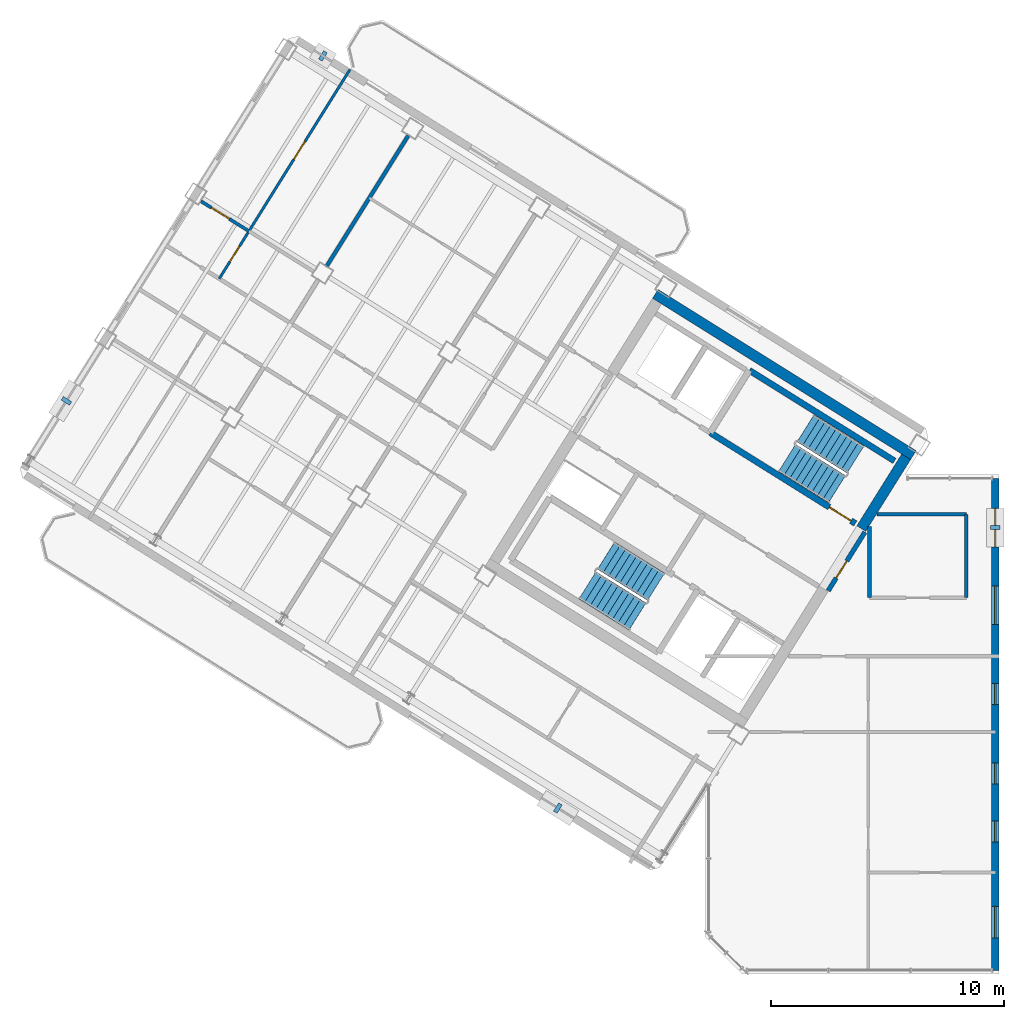
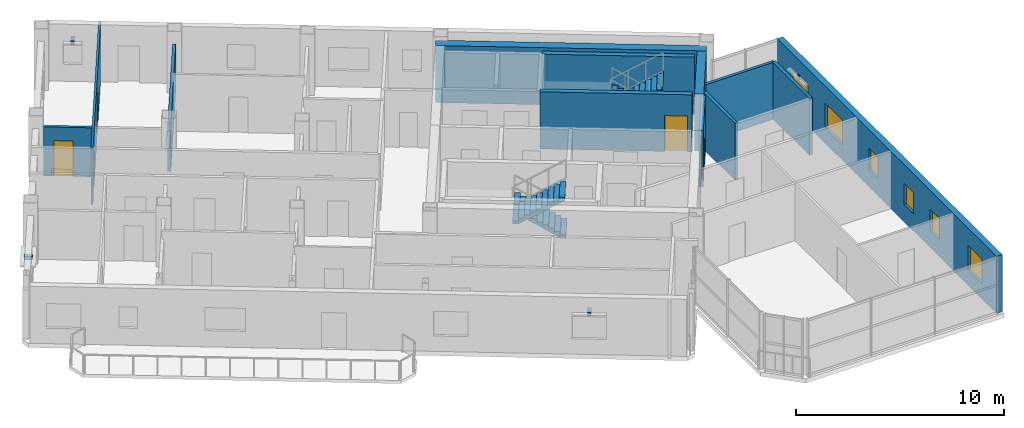
# One storey, part 11 of 15: 12 walls, 6 windows, 5 doors, 4 discrete accessories, 4 stair flights, 11 openings, 2 elements without a shape of their own.
"""IFC4 building model written with IfcOpenShell, lengths in metres."""

import ifcopenshell
import ifcopenshell.guid

model = None  # the IFC model being written
_history = None  # IfcOwnerHistory: only IFC2X3 demands one
_inside = {}  # id of a spatial element -> (the spatial element, [elements in it])
_under = {}  # id of a project, library or spatial element -> (it, [spatial elements below it])
_declared = {}  # id of a project -> (the project, [libraries it declares])
_typed = {}  # id of a type object -> (the type object, [elements of that type])
_made_of = {}  # id of a material, layer set ... -> (it, [elements and type objects made of it])


def new_model(schema):
    """Start an empty IFC model of exactly this schema.

    Asked for "IFC4X3", IfcOpenShell would pick the latest addendum, in which some entities
    have other attributes; the version numbers below select the first issue.
    IFC2X3 requires an IfcOwnerHistory on every rooted entity: one is made here for all.
    """
    global model, _history
    if schema == "IFC4X3":
        model = ifcopenshell.file(schema_version=(4, 3, 0, 0))
    else:
        model = ifcopenshell.file(schema=schema)
    _inside.clear()
    _under.clear()
    _declared.clear()
    _typed.clear()
    _made_of.clear()
    _history = None
    if model.schema == "IFC2X3":
        org = make("IfcOrganization", Name="unknown")
        user = make(
            "IfcPersonAndOrganization",
            ThePerson=make("IfcPerson", FamilyName="unknown"),
            TheOrganization=org,
        )
        app = make(
            "IfcApplication",
            ApplicationDeveloper=org,
            Version="unknown",
            ApplicationFullName="unknown",
            ApplicationIdentifier="unknown",
        )
        _history = make(
            "IfcOwnerHistory",
            OwningUser=user,
            OwningApplication=app,
            ChangeAction="ADDED",
            CreationDate=0,
        )
    return model


def make(cls, **values):
    """One entity of the class cls with the attributes given. An attribute that is None is left unset."""
    return model.create_entity(
        cls, **{name: value for name, value in values.items() if value is not None}
    )


def rooted(cls, **values):
    """An entity with a GlobalId (a new one), such as an element, a storey or a relation."""
    return make(cls, GlobalId=ifcopenshell.guid.new(), OwnerHistory=_history, **values)


def si_unit(unit_type, name, prefix=None):
    """IfcSIUnit, for example si_unit("LENGTHUNIT", "METRE", prefix="MILLI")."""
    return make("IfcSIUnit", UnitType=unit_type, Prefix=prefix, Name=name)


def assignment(units):
    """IfcUnitAssignment: the units of a project."""
    return None if units is None else make("IfcUnitAssignment", Units=units)


def point(xyz):
    """IfcCartesianPoint."""
    return None if xyz is None else make("IfcCartesianPoint", Coordinates=xyz)


def direction(xyz):
    """IfcDirection."""
    return None if xyz is None else make("IfcDirection", DirectionRatios=xyz)


def frame(location, z_axis=None, x_axis=None):
    """IfcAxis2Placement3D, a coordinate frame: its origin and axes. An axis left out is left unset."""
    return make(
        "IfcAxis2Placement3D",
        Location=point(location),
        Axis=direction(z_axis),
        RefDirection=direction(x_axis),
    )


def frame_2d(location, x_axis=None):
    """IfcAxis2Placement2D, a coordinate frame in the plane: its origin and x axis."""
    return make(
        "IfcAxis2Placement2D", Location=point(location), RefDirection=direction(x_axis)
    )


def origin():
    """The frame at (0, 0, 0) with its axes left unset."""
    return frame((0.0, 0.0, 0.0))


def origin_2d():
    """The frame at (0, 0) in the plane with its x axis left unset."""
    return frame_2d((0.0, 0.0))


def place(relative_to, where):
    """IfcLocalPlacement: puts the frame where relative to a parent placement (None: the world)."""
    return make(
        "IfcLocalPlacement", PlacementRelTo=relative_to, RelativePlacement=where
    )


def context(
    kind, dimensions, precision=None, world=None, true_north=None, identifier=None
):
    """IfcGeometricRepresentationContext, for example the 3D "Model" context."""
    return make(
        "IfcGeometricRepresentationContext",
        ContextIdentifier=identifier,
        ContextType=kind,
        CoordinateSpaceDimension=dimensions,
        Precision=precision,
        WorldCoordinateSystem=world,
        TrueNorth=true_north,
    )


def subcontext(parent, identifier, kind, view, scale=None):
    """IfcGeometricRepresentationSubContext, for example "Body" below "Model"."""
    return make(
        "IfcGeometricRepresentationSubContext",
        ContextIdentifier=identifier,
        ContextType=kind,
        ParentContext=parent,
        TargetScale=scale,
        TargetView=view,
    )


def project(units=None, contexts=None):
    """IfcProject with its units and contexts."""
    return rooted(
        "IfcProject",
        Name="project",
        RepresentationContexts=contexts,
        UnitsInContext=assignment(units),
    )


def spatial(cls, under=None, at=None, **own):
    """A site, building, storey or space (cls), placed at a placement, below another one or the project."""
    s = rooted(cls, ObjectPlacement=at, **own)
    if under is not None:
        _under.setdefault(under.id(), (under, []))[1].append(s)
    return s


def polyline(points):
    """IfcPolyline through the points."""
    return make("IfcPolyline", Points=[point(p) for p in points])


def profile(cls, at=None, kind="AREA", **sizes):
    """A parametric profile (cls). Its sizes go by their IFC names, for example OverallWidth=200.0."""
    return make(cls, ProfileType=kind, Position=at, **sizes)


def rectangle(**sizes):
    """IfcRectangleProfileDef."""
    return profile("IfcRectangleProfileDef", **sizes)


def outline(outer, holes=None, kind="AREA"):
    """IfcArbitraryClosedProfileDef: a profile drawn as a closed curve; with holes, ...WithVoids."""
    if holes is None:
        return make("IfcArbitraryClosedProfileDef", ProfileType=kind, OuterCurve=outer)
    return make(
        "IfcArbitraryProfileDefWithVoids",
        ProfileType=kind,
        OuterCurve=outer,
        InnerCurves=holes,
    )


def extrude(swept, where, along, depth):
    """IfcExtrudedAreaSolid: the profile swept, set in the frame where, extruded along a direction by depth."""
    return make(
        "IfcExtrudedAreaSolid",
        SweptArea=swept,
        Position=where,
        ExtrudedDirection=direction(along),
        Depth=depth,
    )


def shape(context_of_items, identifier, shape_type, items):
    """IfcShapeRepresentation: the items that make up one representation, for example the "Body"."""
    return make(
        "IfcShapeRepresentation",
        ContextOfItems=context_of_items,
        RepresentationIdentifier=identifier,
        RepresentationType=shape_type,
        Items=items,
    )


def source(mapping_origin, context_of_items, identifier, shape_type, items):
    """IfcRepresentationMap: a shape defined once, which mapped items show again and again."""
    return make(
        "IfcRepresentationMap",
        MappingOrigin=mapping_origin,
        MappedRepresentation=shape(context_of_items, identifier, shape_type, items),
    )


def transform(
    local_origin,
    x_axis=None,
    y_axis=None,
    z_axis=None,
    scale=None,
    scale2=None,
    scale3=None,
    uniform=True,
):
    """IfcCartesianTransformationOperator3D, or its non-uniform kind. x_axis, y_axis, z_axis: its Axis1, 2, 3."""
    if uniform:
        return make(
            "IfcCartesianTransformationOperator3D",
            Axis1=direction(x_axis),
            Axis2=direction(y_axis),
            LocalOrigin=point(local_origin),
            Scale=scale,
            Axis3=direction(z_axis),
        )
    return make(
        "IfcCartesianTransformationOperator3DnonUniform",
        Axis1=direction(x_axis),
        Axis2=direction(y_axis),
        LocalOrigin=point(local_origin),
        Scale=scale,
        Axis3=direction(z_axis),
        Scale2=scale2,
        Scale3=scale3,
    )


def mapped(mapping_source, mapping_target):
    """IfcMappedItem: shows the shape of a source again, moved by a transform."""
    return make(
        "IfcMappedItem", MappingSource=mapping_source, MappingTarget=mapping_target
    )


def material(Name=None, Category=None):
    """IfcMaterial."""
    return make("IfcMaterial", Name=Name, Category=Category)


def layer(
    of_material, thickness, ventilated=None, Name=None, Category=None, Priority=None
):
    """IfcMaterialLayer: one layer of a wall or slab, of a material (None: an air gap)."""
    return make(
        "IfcMaterialLayer",
        Material=of_material,
        LayerThickness=thickness,
        IsVentilated=ventilated,
        Name=Name,
        Category=Category,
        Priority=Priority,
    )


def layer_set(layers, Name=None):
    """IfcMaterialLayerSet."""
    return make("IfcMaterialLayerSet", MaterialLayers=layers, LayerSetName=Name)


def made_of(thing, what):
    """Note that an element or type object is made of a material, layer set ...; save() writes the relation."""
    if what is not None:
        _made_of.setdefault(what.id(), (what, []))[1].append(thing)
    return thing


def type_object(cls, material=None, **own):
    """A type object (cls), such as IfcWallType, which elements share."""
    return made_of(rooted(cls, **own), material)


def element(
    cls,
    number,
    at=None,
    inside=None,
    cuts=None,
    type_object=None,
    material=None,
    context=None,
    identifier="Body",
    shape_type=None,
    held_by="IfcProductDefinitionShape",
    body=None,
    shapes=None,
    **own,
):
    """One element of the class cls, such as IfcWall. Its Tag is "e" and its number.

    at: its placement. inside: the storey or other place that contains it. cuts: it is an
    opening in that element (IfcRelVoidsElement). A single representation is given by context,
    identifier, shape_type and body (its items); several are given by shapes. held_by: the class
    of the entity that holds the representations. save() writes the other relations.
    """
    e = rooted(cls, Tag="e%d" % number, ObjectPlacement=at, **own)
    if body is not None:
        shapes = [shape(context, identifier, shape_type, body)]
    if shapes is not None:
        e.Representation = make(held_by, Representations=shapes)
    if inside is not None:
        _inside.setdefault(inside.id(), (inside, []))[1].append(e)
    if cuts is not None:
        rooted(
            "IfcRelVoidsElement", RelatingBuildingElement=cuts, RelatedOpeningElement=e
        )
    if type_object is not None:
        _typed.setdefault(type_object.id(), (type_object, []))[1].append(e)
    return made_of(e, material)


def fill(opening, filler):
    """IfcRelFillsElement: the door or window that sits in an opening."""
    return rooted(
        "IfcRelFillsElement",
        RelatingOpeningElement=opening,
        RelatedBuildingElement=filler,
    )


def aggregate(whole, parts):
    """IfcRelAggregates: a whole, such as a stair, and the parts it consists of."""
    return rooted("IfcRelAggregates", RelatingObject=whole, RelatedObjects=parts)


def save(model, path):
    """Write the relations noted so far, then the file.

    IfcRelAggregates (storeys below a building ...), IfcRelContainedInSpatialStructure (elements
    in a storey), IfcRelDefinesByType, IfcRelAssociatesMaterial and IfcRelDeclares: one each for
    every whole, place, type object, material and project.
    """
    for whole, parts in _under.values():
        aggregate(whole, parts)
    for where, things in _inside.values():
        rooted(
            "IfcRelContainedInSpatialStructure",
            RelatedElements=things,
            RelatingStructure=where,
        )
    for kind, things in _typed.values():
        rooted("IfcRelDefinesByType", RelatedObjects=things, RelatingType=kind)
    for what, things in _made_of.values():
        rooted("IfcRelAssociatesMaterial", RelatedObjects=things, RelatingMaterial=what)
    for by, libraries in _declared.values():
        rooted("IfcRelDeclares", RelatingContext=by, RelatedDefinitions=libraries)
    model.write(path)


model = new_model("IFC4")

# Units and contexts
model_context = context("Model", 3, precision=1e-05, world=origin(), true_north=direction((0.0, 1.0)))
body_context = subcontext(model_context, "Body", "Model", "MODEL_VIEW")
ifc_project = project(units=[si_unit("LENGTHUNIT", "METRE"), si_unit("AREAUNIT", "SQUARE_METRE"), si_unit("VOLUMEUNIT", "CUBIC_METRE"), si_unit("PLANEANGLEUNIT", "RADIAN"), si_unit("MASSUNIT", "GRAM", prefix="KILO")], contexts=[model_context])

# Site, building, storey
site_placement = place(None, origin())
site = spatial("IfcSite", under=ifc_project, at=site_placement, CompositionType="ELEMENT")
building_placement = place(site_placement, origin())
building = spatial("IfcBuilding", under=site, at=building_placement, Name="Tlacorven Tower", CompositionType="ELEMENT")
storey_placement = place(building_placement, frame((0.0, 0.0, 266.39990234375)))
storey = spatial("IfcBuildingStorey", under=building, at=storey_placement, Name="L67", CompositionType="ELEMENT", Elevation=266.39990234375)

# Walls
ifc_material_1 = material(Name="Concrete C50/60", Category="concrete")
ifc_layer_1 = layer(ifc_material_1, 0.449951171875)
ifc_layer_set_1 = layer_set([ifc_layer_1], Name="Concrete C50/60")
wall_type_1 = type_object("IfcWallType", Name="WL-COR-450", PredefinedType="SHEAR", material=ifc_layer_set_1)
wall_1_placement = place(storey_placement, frame((40.53076171875, 24.036376953125, 0.0), z_axis=(0.0, 0.0, 1.0), x_axis=(-0.848048787466, 0.529918157905, 0.0)))
element("IfcWall", 1, at=wall_1_placement, inside=storey, type_object=wall_type_1, Name="L67 W core shear wall S1", PredefinedType="SHEAR", context=body_context, shape_type="SweptSolid", body=[
    extrude(rectangle(XDim=13.0400390625, YDim=0.449951171875, at=frame_2d((6.52001953125, 0.0))), origin(), (0.0, 0.0, 1.0), 3.35009765625),
])
wall_2_placement = place(storey_placement, frame((40.220703125, 23.96484375, 0.0), z_axis=(0.0, 0.0, 1.0), x_axis=(-0.529902075036, -0.848058836916, 0.0)))
element("IfcWall", 2, at=wall_2_placement, inside=storey, type_object=wall_type_1, Name="L67 W core end wall E1.1", PredefinedType="SHEAR", context=body_context, shape_type="SweptSolid", body=[
    extrude(rectangle(XDim=3.625, YDim=0.449951171875, at=frame_2d((1.8125, 0.0))), origin(), (0.0, 0.0, 1.0), 3.35009765625),
])
ifc_material_2 = material(Name="Gypsum plasterboard acoustic partition", Category="gypsum")
ifc_layer_2 = layer(ifc_material_2, 0.159912109375)
ifc_layer_set_2 = layer_set([ifc_layer_2], Name="Gypsum plasterboard acoustic partition")
wall_type_2 = type_object("IfcWallType", Name="WL-DEM-160", PredefinedType="PARTITIONING", material=ifc_layer_set_2)
wall_3_placement = place(storey_placement, frame((18.881103515625, 37.727294921875, 0.0), z_axis=(0.0, 0.0, 1.0), x_axis=(-0.529938869374, -0.84803584519, 0.0)))
element("IfcWall", 3, at=wall_3_placement, inside=storey, type_object=wall_type_2, Name="L67 WS Demising Wall 2", PredefinedType="PARTITIONING", context=body_context, shape_type="SweptSolid", body=[
    extrude(rectangle(XDim=6.575927734375, YDim=0.159912109375, at=frame_2d((3.2880859375, 0.0))), origin(), (0.0, 0.0, 1.0), 2.875),
])
wall_4_placement = place(storey_placement, frame((38.64990234375, 17.929931640625, 0.0), z_axis=(0.0, 0.0, 1.0), x_axis=(0.0, 1.0, 0.0)))
element("IfcWall", 4, at=wall_4_placement, inside=storey, type_object=wall_type_2, Name="L67 partition 51", PredefinedType="PARTITIONING", context=body_context, shape_type="SweptSolid", body=[
    extrude(rectangle(XDim=3.045654296875, YDim=0.159912109375, at=frame_2d((1.52294921875, 0.0))), origin(), (0.0, 0.0, 1.0), 3.340087890625),
])
wall_5_placement = place(storey_placement, frame((42.800048828125, 17.929931640625, 0.0), z_axis=(0.0, 0.0, 1.0), x_axis=(0.0, 1.0, 0.0)))
element("IfcWall", 5, at=wall_5_placement, inside=storey, type_object=wall_type_2, Name="L67 partition 52", PredefinedType="PARTITIONING", context=body_context, shape_type="SweptSolid", body=[
    extrude(rectangle(XDim=3.570068359375, YDim=0.159912109375, at=frame_2d((1.78515625, 0.0))), origin(), (0.0, 0.0, 1.0), 3.340087890625),
])
wall_6_placement = place(storey_placement, frame((38.9775390625, 21.5, 0.0), z_axis=(0.0, 0.0, 1.0), x_axis=(1.0, 0.0, 0.0)))
element("IfcWall", 6, at=wall_6_placement, inside=storey, type_object=wall_type_2, Name="L67 partition 53", PredefinedType="PARTITIONING", context=body_context, shape_type="SweptSolid", body=[
    extrude(rectangle(XDim=3.822509765625, YDim=0.159912109375, at=frame_2d((1.9111328125, 0.0))), origin(), (0.0, 0.0, 1.0), 3.340087890625),
])

# Wall, openings, windows
ifc_material_3 = material(Name="Precast concrete C45/55", Category="concrete")
ifc_layer_3 = layer(ifc_material_3, 0.320068359375)
ifc_layer_set_3 = layer_set([ifc_layer_3], Name="Precast concrete C45/55")
wall_type_3 = type_object("IfcWallType", Name="WL-EXT-320", PredefinedType="STANDARD", material=ifc_layer_set_3)
wall_7_placement = place(storey_placement, frame((44.0400390625, 23.0400390625, 0.0), z_axis=(0.0, 0.0, 1.0), x_axis=(0.0, -1.0, 0.0)))
wall_7 = element("IfcWall", 7, at=wall_7_placement, inside=storey, type_object=wall_type_3, Name="L67 Masonry-Frame Recessed Facade Wall 1", PredefinedType="STANDARD", context=body_context, shape_type="SweptSolid", body=[
    extrude(rectangle(XDim=21.080078125, YDim=0.320068359375, at=frame_2d((10.5400390625, 0.0))), origin(), (0.0, 0.0, 1.0), 3.35009765625),
])
opening_1_placement = place(wall_7_placement, frame((1.284912109375, 0.0, 0.89990234375)))
opening_1 = element("IfcOpeningElement", 8, at=opening_1_placement, cuts=wall_7, Name="Opening WN07", PredefinedType="OPENING", context=body_context, shape_type="SweptSolid", body=[
    extrude(rectangle(XDim=1.64990234375, YDim=1.449951171875, at=frame_2d((0.824951171875, 0.72509765625))), frame((0.0, 0.169921875, 0.0), z_axis=(0.0, -1.0, 0.0), x_axis=(1.0, 0.0, 0.0)), (0.0, 0.0, 1.0), 0.340087890625),
])
opening_2_placement = place(wall_7_placement, frame((4.60498046875, 0.0, 0.89990234375)))
opening_2 = element("IfcOpeningElement", 9, at=opening_2_placement, cuts=wall_7, Name="Opening WN07", PredefinedType="OPENING", context=body_context, shape_type="SweptSolid", body=[
    extrude(rectangle(XDim=1.64990234375, YDim=1.449951171875, at=frame_2d((0.824951171875, 0.72509765625))), frame((0.0, 0.169921875, 0.0), z_axis=(0.0, -1.0, 0.0), x_axis=(1.0, 0.0, 0.0)), (0.0, 0.0, 1.0), 0.340087890625),
])
opening_3_placement = place(wall_7_placement, frame((8.800048828125, 0.0, 1.0)))
opening_3 = element("IfcOpeningElement", 10, at=opening_3_placement, cuts=wall_7, Name="Opening WN05", PredefinedType="OPENING", context=body_context, shape_type="SweptSolid", body=[
    extrude(rectangle(XDim=0.89990234375, YDim=1.25, at=frame_2d((0.449951171875, 0.625))), frame((0.0, 0.169921875, 0.0), z_axis=(0.0, -1.0, 0.0), x_axis=(1.0, 0.0, 0.0)), (0.0, 0.0, 1.0), 0.340087890625),
])
opening_4_placement = place(wall_7_placement, frame((12.188720703125, 0.0, 1.0)))
opening_4 = element("IfcOpeningElement", 11, at=opening_4_placement, cuts=wall_7, Name="Opening WN05", PredefinedType="OPENING", context=body_context, shape_type="SweptSolid", body=[
    extrude(rectangle(XDim=0.89990234375, YDim=1.25, at=frame_2d((0.449951171875, 0.625))), frame((0.0, 0.169921875, 0.0), z_axis=(0.0, -1.0, 0.0), x_axis=(1.0, 0.0, 0.0)), (0.0, 0.0, 1.0), 0.340087890625),
])
opening_5_placement = place(wall_7_placement, frame((14.686279296875, 0.0, 1.0)))
opening_5 = element("IfcOpeningElement", 12, at=opening_5_placement, cuts=wall_7, Name="Opening WN05", PredefinedType="OPENING", context=body_context, shape_type="SweptSolid", body=[
    extrude(rectangle(XDim=0.89990234375, YDim=1.25, at=frame_2d((0.449951171875, 0.625))), frame((0.0, 0.169921875, 0.0), z_axis=(0.0, -1.0, 0.0), x_axis=(1.0, 0.0, 0.0)), (0.0, 0.0, 1.0), 0.340087890625),
])
opening_6_placement = place(wall_7_placement, frame((18.33740234375, 0.0, 0.89990234375)))
opening_6 = element("IfcOpeningElement", 13, at=opening_6_placement, cuts=wall_7, Name="Opening WN08", PredefinedType="OPENING", context=body_context, shape_type="SweptSolid", body=[
    extrude(rectangle(XDim=1.35009765625, YDim=1.449951171875, at=frame_2d((0.675048828125, 0.72509765625))), frame((0.0, 0.169921875, 0.0), z_axis=(0.0, -1.0, 0.0), x_axis=(1.0, 0.0, 0.0)), (0.0, 0.0, 1.0), 0.340087890625),
])
ifc_material_4 = material(Name="Dark solar low-E double glazing in anodised aluminium frame", Category="aluminium")
window_type_1 = type_object("IfcWindowType", Name="WN-APT-0900X1350", PartitioningType="SINGLE_PANEL", PredefinedType="WINDOW", material=ifc_material_4)
shared_shape_1 = source(origin(), body_context, "Body", "SweptSolid", [
    extrude(rectangle(XDim=0.89990234375, YDim=1.25, at=frame_2d((0.449951171875, 0.625))), frame((0.0, 0.030029296875, 0.0), z_axis=(0.0, -1.0, 0.0), x_axis=(1.0, 0.0, 0.0)), (0.0, 0.0, 1.0), 0.06005859375),
])
window_1_placement = place(opening_3_placement, origin())
window_1 = element("IfcWindow", 14, at=window_1_placement, inside=storey, type_object=window_type_1, Name="L67 Recessed Masonry-Frame Window L67-01.3", OverallHeight=1.25, OverallWidth=0.89990234375, PartitioningType="SINGLE_PANEL", PredefinedType="WINDOW", context=body_context, shape_type="MappedRepresentation", body=[
    mapped(shared_shape_1, transform((0.0, 0.0, 0.0), scale=1.0)),
])
fill(opening_3, window_1)
window_2_placement = place(opening_4_placement, origin())
window_2 = element("IfcWindow", 15, at=window_2_placement, inside=storey, type_object=window_type_1, Name="L67 Recessed Masonry-Frame Window L67-01.4", OverallHeight=1.25, OverallWidth=0.89990234375, PartitioningType="SINGLE_PANEL", PredefinedType="WINDOW", context=body_context, shape_type="MappedRepresentation", body=[
    mapped(shared_shape_1, transform((0.0, 0.0, 0.0), scale=1.0)),
])
fill(opening_4, window_2)
window_3_placement = place(opening_5_placement, origin())
window_3 = element("IfcWindow", 16, at=window_3_placement, inside=storey, type_object=window_type_1, Name="L67 Recessed Masonry-Frame Window L67-01.5", OverallHeight=1.25, OverallWidth=0.89990234375, PartitioningType="SINGLE_PANEL", PredefinedType="WINDOW", context=body_context, shape_type="MappedRepresentation", body=[
    mapped(shared_shape_1, transform((0.0, 0.0, 0.0), scale=1.0)),
])
fill(opening_5, window_3)
window_type_2 = type_object("IfcWindowType", Name="WN-APT-1650X1600", PartitioningType="SINGLE_PANEL", PredefinedType="WINDOW", material=ifc_material_4)
shared_shape_2 = source(origin(), body_context, "Body", "SweptSolid", [
    extrude(rectangle(XDim=1.64990234375, YDim=1.449951171875, at=frame_2d((0.824951171875, 0.72509765625))), frame((0.0, 0.030029296875, 0.0), z_axis=(0.0, -1.0, 0.0), x_axis=(1.0, 0.0, 0.0)), (0.0, 0.0, 1.0), 0.06005859375),
])
window_4_placement = place(opening_1_placement, origin())
window_4 = element("IfcWindow", 17, at=window_4_placement, inside=storey, type_object=window_type_2, Name="L67 Recessed Masonry-Frame Window L67-01.1", OverallHeight=1.449951171875, OverallWidth=1.64990234375, PartitioningType="SINGLE_PANEL", PredefinedType="WINDOW", context=body_context, shape_type="MappedRepresentation", body=[
    mapped(shared_shape_2, transform((0.0, 0.0, 0.0), scale=1.0)),
])
fill(opening_1, window_4)
window_5_placement = place(opening_2_placement, origin())
window_5 = element("IfcWindow", 18, at=window_5_placement, inside=storey, type_object=window_type_2, Name="L67 Recessed Masonry-Frame Window L67-01.2", OverallHeight=1.449951171875, OverallWidth=1.64990234375, PartitioningType="SINGLE_PANEL", PredefinedType="WINDOW", context=body_context, shape_type="MappedRepresentation", body=[
    mapped(shared_shape_2, transform((0.0, 0.0, 0.0), scale=1.0)),
])
fill(opening_2, window_5)
window_type_3 = type_object("IfcWindowType", Name="WN-APT-1350X1550", PartitioningType="SINGLE_PANEL", PredefinedType="WINDOW", material=ifc_material_4)
shared_shape_3 = source(origin(), body_context, "Body", "SweptSolid", [
    extrude(rectangle(XDim=1.35009765625, YDim=1.449951171875, at=frame_2d((0.675048828125, 0.72509765625))), frame((0.0, 0.030029296875, 0.0), z_axis=(0.0, -1.0, 0.0), x_axis=(1.0, 0.0, 0.0)), (0.0, 0.0, 1.0), 0.06005859375),
])
window_6_placement = place(opening_6_placement, origin())
window_6 = element("IfcWindow", 19, at=window_6_placement, inside=storey, type_object=window_type_3, Name="L67 Recessed Masonry-Frame Window L67-01.6", OverallHeight=1.449951171875, OverallWidth=1.35009765625, PartitioningType="SINGLE_PANEL", PredefinedType="WINDOW", context=body_context, shape_type="MappedRepresentation", body=[
    mapped(shared_shape_3, transform((0.0, 0.0, 0.0), scale=1.0)),
])
fill(opening_6, window_6)

# Wall, openings, doors
ifc_material_5 = material(Name="Gypsum plasterboard partition", Category="gypsum")
ifc_layer_4 = layer(ifc_material_5, 0.110107421875)
ifc_layer_set_4 = layer_set([ifc_layer_4], Name="Gypsum plasterboard partition")
wall_type_4 = type_object("IfcWallType", Name="WL-INT-110", PredefinedType="PARTITIONING", material=ifc_layer_set_4)
wall_8_placement = place(storey_placement, frame((16.384521484375, 40.563232421875, 0.0), z_axis=(0.0, 0.0, 1.0), x_axis=(-0.529924195719, -0.848045014602, 0.0)))
wall_8 = element("IfcWall", 20, at=wall_8_placement, inside=storey, type_object=wall_type_4, Name="L67 partition 40", PredefinedType="PARTITIONING", context=body_context, shape_type="SweptSolid", body=[
    extrude(rectangle(XDim=10.570068359375, YDim=0.110107421875, at=frame_2d((5.28515625, 0.0))), origin(), (0.0, 0.0, 1.0), 3.340087890625),
])
opening_7_placement = place(wall_8_placement, frame((8.929931640625, 0.0, 0.0)))
opening_7 = element("IfcOpeningElement", 21, at=opening_7_placement, cuts=wall_8, Name="Opening D22", PredefinedType="OPENING", context=body_context, shape_type="SweptSolid", body=[
    extrude(rectangle(XDim=0.780029296875, YDim=2.050048828125, at=frame_2d((0.39013671875, 1.02490234375))), frame((0.0, 0.06494140625, 0.0), z_axis=(0.0, -1.0, 0.0), x_axis=(1.0, 0.0, 0.0)), (0.0, 0.0, 1.0), 0.130126953125),
])
opening_8_placement = place(wall_8_placement, frame((3.625, 0.0, 0.0)))
opening_8 = element("IfcOpeningElement", 22, at=opening_8_placement, cuts=wall_8, Name="Opening D12", PredefinedType="OPENING", context=body_context, shape_type="SweptSolid", body=[
    extrude(rectangle(XDim=0.919921875, YDim=2.080078125, at=frame_2d((0.4599609375, 1.0400390625))), frame((0.0, 0.06494140625, 0.0), z_axis=(0.0, -1.0, 0.0), x_axis=(1.0, 0.0, 0.0)), (0.0, 0.0, 1.0), 0.130126953125),
])
ifc_material_6 = material(Name="Powder-coated aluminium and timber door", Category="wood")
door_type_1 = type_object("IfcDoorType", Name="DR-INT-WET-0780", OperationType="NOTDEFINED", PredefinedType="DOOR", material=ifc_material_6)
shared_shape_4 = source(origin(), body_context, "Body", "SweptSolid", [
    extrude(rectangle(XDim=0.780029296875, YDim=2.050048828125, at=frame_2d((0.39013671875, 1.02490234375))), frame((0.0, 0.02490234375, 0.0), z_axis=(0.0, -1.0, 0.0), x_axis=(1.0, 0.0, 0.0)), (0.0, 0.0, 1.0), 0.050048828125),
])
door_1_placement = place(opening_7_placement, origin())
door_1 = element("IfcDoor", 23, at=door_1_placement, inside=storey, type_object=door_type_1, Name="L67 door 030", OperationType="SINGLE_SWING_LEFT", OverallHeight=2.050048828125, OverallWidth=0.780029296875, PredefinedType="DOOR", context=body_context, shape_type="MappedRepresentation", body=[
    mapped(shared_shape_4, transform((0.0, 0.0, 0.0), scale=1.0)),
])
fill(opening_7, door_1)
door_type_2 = type_object("IfcDoorType", Name="DR-INT-ROOM-0920", OperationType="NOTDEFINED", PredefinedType="DOOR", material=ifc_material_6)
shared_shape_5 = source(origin(), body_context, "Body", "SweptSolid", [
    extrude(rectangle(XDim=0.919921875, YDim=2.080078125, at=frame_2d((0.4599609375, 1.0400390625))), frame((0.0, 0.02490234375, 0.0), z_axis=(0.0, -1.0, 0.0), x_axis=(1.0, 0.0, 0.0)), (0.0, 0.0, 1.0), 0.050048828125),
])
door_2_placement = place(opening_8_placement, origin())
door_2 = element("IfcDoor", 24, at=door_2_placement, inside=storey, type_object=door_type_2, Name="L67 door 031", OperationType="SINGLE_SWING_RIGHT", OverallHeight=2.080078125, OverallWidth=0.919921875, PredefinedType="DOOR", context=body_context, shape_type="MappedRepresentation", body=[
    mapped(shared_shape_5, transform((0.0, 0.0, 0.0), scale=1.0)),
])
fill(opening_8, door_2)

# Wall, opening, door
ifc_material_7 = material(Name="Moisture-resistant gypsum plumbing wall", Category="gypsum")
ifc_layer_5 = layer(ifc_material_7, 0.139892578125)
ifc_layer_set_5 = layer_set([ifc_layer_5], Name="Moisture-resistant gypsum plumbing wall")
wall_type_5 = type_object("IfcWallType", Name="WL-PLM-140", PredefinedType="PLUMBINGWALL", material=ifc_layer_set_5)
wall_9_placement = place(storey_placement, frame((12.05517578125, 33.634765625, 0.0), z_axis=(0.0, 0.0, 1.0), x_axis=(-0.848089044815, 0.529853727046, 0.0)))
wall_9 = element("IfcWall", 25, at=wall_9_placement, inside=storey, type_object=wall_type_5, Name="L67 partition 42", PredefinedType="PLUMBINGWALL", context=body_context, shape_type="SweptSolid", body=[
    extrude(rectangle(XDim=2.418212890625, YDim=0.139892578125, at=frame_2d((1.208984375, 0.0))), origin(), (0.0, 0.0, 1.0), 2.875),
])
opening_9_placement = place(wall_9_placement, frame((0.989990234375, 0.0, 0.0)))
opening_9 = element("IfcOpeningElement", 26, at=opening_9_placement, cuts=wall_9, Name="Opening D12", PredefinedType="OPENING", context=body_context, shape_type="SweptSolid", body=[
    extrude(rectangle(XDim=0.919921875, YDim=2.080078125, at=frame_2d((0.4599609375, 1.0400390625))), frame((0.0, 0.080078125, 0.0), z_axis=(0.0, -1.0, 0.0), x_axis=(1.0, 0.0, 0.0)), (0.0, 0.0, 1.0), 0.159912109375),
])
door_3_placement = place(opening_9_placement, origin())
door_3 = element("IfcDoor", 27, at=door_3_placement, inside=storey, type_object=door_type_2, Name="L67 door 029", OperationType="SINGLE_SWING_LEFT", OverallHeight=2.080078125, OverallWidth=0.919921875, PredefinedType="DOOR", context=body_context, shape_type="MappedRepresentation", body=[
    mapped(shared_shape_5, transform((0.0, 0.0, 0.0), scale=1.0)),
])
fill(opening_9, door_3)

ifc_material_8 = material(Name="Concrete C40/50", Category="concrete")
ifc_layer_6 = layer(ifc_material_8, 0.199951171875)
ifc_layer_set_6 = layer_set([ifc_layer_6], Name="Concrete C40/50")
wall_type_6 = type_object("IfcWallType", Name="WL-SHF-200", PredefinedType="STANDARD", material=ifc_layer_set_6)
wall_10_placement = place(storey_placement, frame((38.451416015625, 20.737060546875, 0.0), z_axis=(0.0, 0.0, 1.0), x_axis=(-0.529924799939, -0.848044637038, 0.0)))
wall_10 = element("IfcWall", 28, at=wall_10_placement, inside=storey, type_object=wall_type_6, Name="L67 partition 48", PredefinedType="STANDARD", context=body_context, shape_type="SweptSolid", body=[
    extrude(rectangle(XDim=2.9599609375, YDim=0.199951171875, at=frame_2d((1.47998046875, 0.0))), origin(), (0.0, 0.0, 1.0), 3.340087890625),
])
opening_10_placement = place(wall_10_placement, frame((1.4599609375, 0.0, 0.0)))
opening_10 = element("IfcOpeningElement", 29, at=opening_10_placement, cuts=wall_10, Name="Opening D19", PredefinedType="OPENING", context=body_context, shape_type="SweptSolid", body=[
    extrude(rectangle(XDim=0.860107421875, YDim=2.050048828125, at=frame_2d((0.43017578125, 1.02490234375))), frame((0.0, 0.10986328125, 0.0), z_axis=(0.0, -1.0, 0.0), x_axis=(1.0, 0.0, 0.0)), (0.0, 0.0, 1.0), 0.219970703125),
])
ifc_material_9 = material(Name="Fire-rated steel door assembly", Category="steel")
door_type_3 = type_object("IfcDoorType", Name="DR-RSR-FD60-0860", OperationType="NOTDEFINED", PredefinedType="DOOR", material=ifc_material_9)
shared_shape_6 = source(origin(), body_context, "Body", "SweptSolid", [
    extrude(rectangle(XDim=0.860107421875, YDim=2.050048828125, at=frame_2d((0.43017578125, 1.02490234375))), frame((0.0, 0.02490234375, 0.0), z_axis=(0.0, -1.0, 0.0), x_axis=(1.0, 0.0, 0.0)), (0.0, 0.0, 1.0), 0.050048828125),
])
door_4_placement = place(opening_10_placement, frame((0.860107421875, 0.0, 0.0), z_axis=(0.0, 0.0, 1.0), x_axis=(-1.0, 0.0, 0.0)))
door_4 = element("IfcDoor", 30, at=door_4_placement, inside=storey, type_object=door_type_3, Name="L67 door 036", OperationType="SINGLE_SWING_LEFT", OverallHeight=2.050048828125, OverallWidth=0.860107421875, PredefinedType="DOOR", context=body_context, shape_type="MappedRepresentation", body=[
    mapped(shared_shape_6, transform((0.0, 0.0, 0.0), scale=1.0)),
])
fill(opening_10, door_4)

# Wall
ifc_layer_7 = layer(ifc_material_1, 0.260009765625)
ifc_layer_set_7 = layer_set([ifc_layer_7], Name="Concrete C50/60")
wall_type_7 = type_object("IfcWallType", Name="WL-STW-260", PredefinedType="SHEAR", material=ifc_layer_set_7)
wall_11_placement = place(storey_placement, frame((39.720947265625, 23.787841796875, 0.0), z_axis=(0.0, 0.0, 1.0), x_axis=(-0.848054434086, 0.529909121291, 0.0)))
element("IfcWall", 31, at=wall_11_placement, inside=storey, type_object=wall_type_7, Name="L67 Stair W2 Far Shear Wall", PredefinedType="SHEAR", context=body_context, shape_type="SweptSolid", body=[
    extrude(rectangle(XDim=7.330078125, YDim=0.260009765625, at=frame_2d((3.6650390625, 0.0))), origin(), (0.0, 0.0, 1.0), 3.35009765625),
])

# Wall, opening, door
wall_12_placement = place(storey_placement, frame((38.04638671875, 21.10791015625, 0.0), z_axis=(0.0, 0.0, 1.0), x_axis=(-0.848054434086, 0.529909121291, 0.0)))
wall_12 = element("IfcWall", 32, at=wall_12_placement, inside=storey, type_object=wall_type_7, Name="L67 Stair W2 Lobby Shear Wall", PredefinedType="SHEAR", context=body_context, shape_type="SweptSolid", body=[
    extrude(rectangle(XDim=7.330078125, YDim=0.260009765625, at=frame_2d((3.6650390625, 0.0))), origin(), (0.0, 0.0, 1.0), 3.35009765625),
])
opening_11_placement = place(wall_12_placement, frame((0.219970703125, 0.0, 0.0)))
opening_11 = element("IfcOpeningElement", 33, at=opening_11_placement, cuts=wall_12, Name="Opening D07", PredefinedType="OPENING", context=body_context, shape_type="SweptSolid", body=[
    extrude(rectangle(XDim=1.10009765625, YDim=2.10009765625, at=frame_2d((0.550048828125, 1.050048828125))), frame((0.0, 0.14013671875, 0.0), z_axis=(0.0, -1.0, 0.0), x_axis=(1.0, 0.0, 0.0)), (0.0, 0.0, 1.0), 0.280029296875),
])
door_type_4 = type_object("IfcDoorType", Name="DR-STR-FD90-1100", OperationType="NOTDEFINED", PredefinedType="DOOR", material=ifc_material_9)
shared_shape_7 = source(origin(), body_context, "Body", "SweptSolid", [
    extrude(rectangle(XDim=1.10009765625, YDim=2.10009765625, at=frame_2d((0.550048828125, 1.050048828125))), frame((0.0, 0.02490234375, 0.0), z_axis=(0.0, -1.0, 0.0), x_axis=(1.0, 0.0, 0.0)), (0.0, 0.0, 1.0), 0.050048828125),
])
door_5_placement = place(opening_11_placement, origin())
door_5 = element("IfcDoor", 34, at=door_5_placement, inside=storey, type_object=door_type_4, Name="L67 Exit Stair W2 Fire Door", OperationType="SINGLE_SWING_RIGHT", OverallHeight=2.10009765625, OverallWidth=1.10009765625, PredefinedType="DOOR", context=body_context, shape_type="MappedRepresentation", body=[
    mapped(shared_shape_7, transform((0.0, 0.0, 0.0), scale=1.0)),
])
fill(opening_11, door_5)

# Stair, stair flights
stair_type = type_object("IfcStairType", Name="ST-CORE-DLG", PredefinedType="HALF_TURN_STAIR", material=ifc_material_8)
stair_1_placement = place(storey_placement, origin())
stair_1 = element("IfcStair", 35, at=stair_1_placement, inside=storey, type_object=stair_type, Name="L67 Protected Exit Stair West 1", PredefinedType="HALF_TURN_STAIR")
stair_flight_type = type_object("IfcStairFlightType", Name="SFL-RC-1380", PredefinedType="STRAIGHT", material=ifc_material_8)
shared_shape_8 = source(origin(), body_context, "Body", "SweptSolid", [
    extrude(outline(polyline([(-0.0029296875, -0.0029296875), (-0.0029296875, 0.179931640625), (0.280029296875, 0.179931640625), (0.280029296875, 0.360107421875), (0.56005859375, 0.360107421875), (0.56005859375, 0.5400390625), (0.840087890625, 0.5400390625), (0.840087890625, 0.719970703125), (1.1201171875, 0.719970703125), (1.1201171875, 0.89990234375), (1.39990234375, 0.89990234375), (1.39990234375, 1.080078125), (1.679931640625, 1.080078125), (1.679931640625, 1.260009765625), (1.9599609375, 1.260009765625), (1.9599609375, 1.43994140625), (2.239990234375, 1.43994140625), (2.239990234375, 1.6201171875), (2.52001953125, 1.6201171875), (2.52001953125, 1.800048828125), (2.52294921875, 1.800048828125), (2.52294921875, 1.429931640625), (2.52001953125, 1.429931640625), (0.295654296875, 0.0), (0.295654296875, -0.0029296875), (-0.0029296875, -0.0029296875)])), frame((0.0, 0.68994140625, 0.0), z_axis=(0.0, -1.0, 0.0), x_axis=(1.0, 0.0, 0.0)), (0.0, 0.0, 1.0), 1.3798828125),
])
stair_flight_1_placement = place(storey_placement, frame((29.499755859375, 18.39453125, 0.0), z_axis=(0.0, 0.0, 1.0), x_axis=(-0.848048096156, 0.529919264233, 0.0)))
stair_flight_1 = element("IfcStairFlight", 36, at=stair_flight_1_placement, type_object=stair_flight_type, Name="ST-W1 flight 1", NumberOfRisers=10, NumberOfTreads=9, PredefinedType="STRAIGHT", RiserHeight=0.18, TreadLength=0.28, context=body_context, shape_type="MappedRepresentation", body=[
    mapped(shared_shape_8, transform((0.0, 0.0, 0.0), scale=1.0)),
])
stair_flight_2_placement = place(storey_placement, frame((26.56787109375, 18.4580078125, 1.800048828125), z_axis=(0.0, 0.0, 1.0), x_axis=(0.848048096156, -0.529919264233, 0.0)))
stair_flight_2 = element("IfcStairFlight", 37, at=stair_flight_2_placement, type_object=stair_flight_type, Name="ST-W1 flight 2", NumberOfRisers=10, NumberOfTreads=9, PredefinedType="STRAIGHT", RiserHeight=0.18, TreadLength=0.28, context=body_context, shape_type="MappedRepresentation", body=[
    mapped(shared_shape_8, transform((0.0, 0.0, 0.0), scale=1.0)),
])
aggregate(stair_1, [stair_flight_1, stair_flight_2])

stair_2_placement = place(storey_placement, origin())
stair_2 = element("IfcStair", 38, at=stair_2_placement, inside=storey, type_object=stair_type, Name="L67 Protected Exit Stair West 2", PredefinedType="HALF_TURN_STAIR")
stair_flight_3_placement = place(storey_placement, frame((38.051513671875, 23.852294921875, 0.0), z_axis=(0.0, 0.0, 1.0), x_axis=(-0.848048096156, 0.529919264233, 0.0)))
stair_flight_3 = element("IfcStairFlight", 39, at=stair_flight_3_placement, type_object=stair_flight_type, Name="ST-W2 flight 1", NumberOfRisers=10, NumberOfTreads=9, PredefinedType="STRAIGHT", RiserHeight=0.18, TreadLength=0.28, context=body_context, shape_type="MappedRepresentation", body=[
    mapped(shared_shape_8, transform((0.0, 0.0, 0.0), scale=1.0)),
])
stair_flight_4_placement = place(storey_placement, frame((35.119384765625, 23.91552734375, 1.800048828125), z_axis=(0.0, 0.0, 1.0), x_axis=(0.848048096156, -0.529919264233, 0.0)))
stair_flight_4 = element("IfcStairFlight", 40, at=stair_flight_4_placement, type_object=stair_flight_type, Name="ST-W2 flight 2", NumberOfRisers=10, NumberOfTreads=9, PredefinedType="STRAIGHT", RiserHeight=0.18, TreadLength=0.28, context=body_context, shape_type="MappedRepresentation", body=[
    mapped(shared_shape_8, transform((0.0, 0.0, 0.0), scale=1.0)),
])
aggregate(stair_2, [stair_flight_3, stair_flight_4])

# Discrete accessories
ifc_material_10 = material(Name="Steel S355J2", Category="steel")
discrete_accessory_type = type_object("IfcDiscreteAccessoryType", Name="ACC-BRK-01", PredefinedType="BRACKET", material=ifc_material_10)
shared_shape_9 = source(origin(), body_context, "Body", "SweptSolid", [
    extrude(rectangle(XDim=0.179931640625, YDim=0.419921875, at=origin_2d()), origin(), (0.0, 0.0, 1.0), 0.219970703125),
])
for number, where, z_axis, x_axis, name in (
    (41, (44.0400390625, 20.929931640625, 2.2802734375), (0.0, 0.0, 1.0), (0.0, -1.0, 0.0), "L67 Sunshade Bracket L67-01.1"),
    (42, (25.295654296875, 8.911376953125, 2.2802734375), (0.0, 0.0, 1.0), (-0.84804812172, 0.529919223323, 0.0), "L67 Sunshade Bracket L67-02.1"),
    (43, (4.232666015625, 26.3623046875, 2.2802734375), (0.0, 0.0, 1.0), (0.529918940959, 0.84804829816, 0.0), "L67 Sunshade Bracket L67-03.1"),
    (44, (15.224853515625, 41.146484375, 2.18017578125), (0.0, 0.0, 1.0), (0.84804812172, -0.529919223323, 0.0), "L67 Sunshade Bracket L67-04.1"),
):
    element("IfcDiscreteAccessory", number, at=place(storey_placement, frame(where, z_axis=z_axis, x_axis=x_axis)), inside=storey, type_object=discrete_accessory_type, Name=name, PredefinedType="BRACKET", context=body_context, shape_type="MappedRepresentation", body=[
        mapped(shared_shape_9, transform((0.0, 0.0, 0.0), scale=1.0)),
    ])

save(model, "model.ifc")
